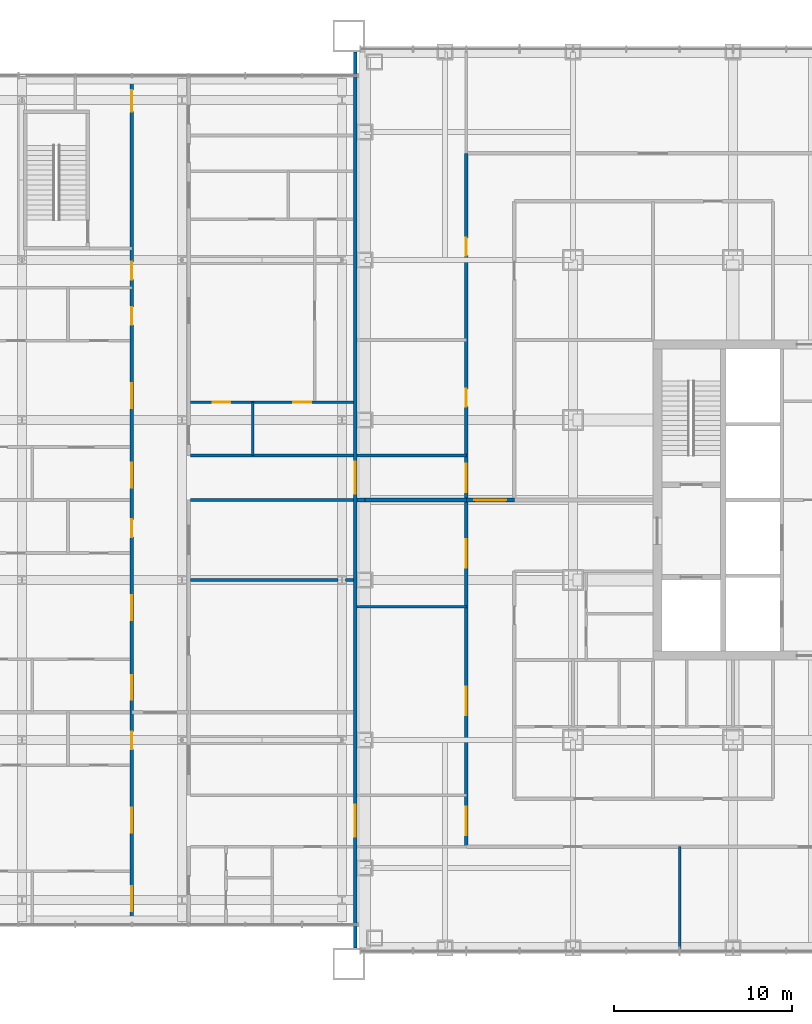
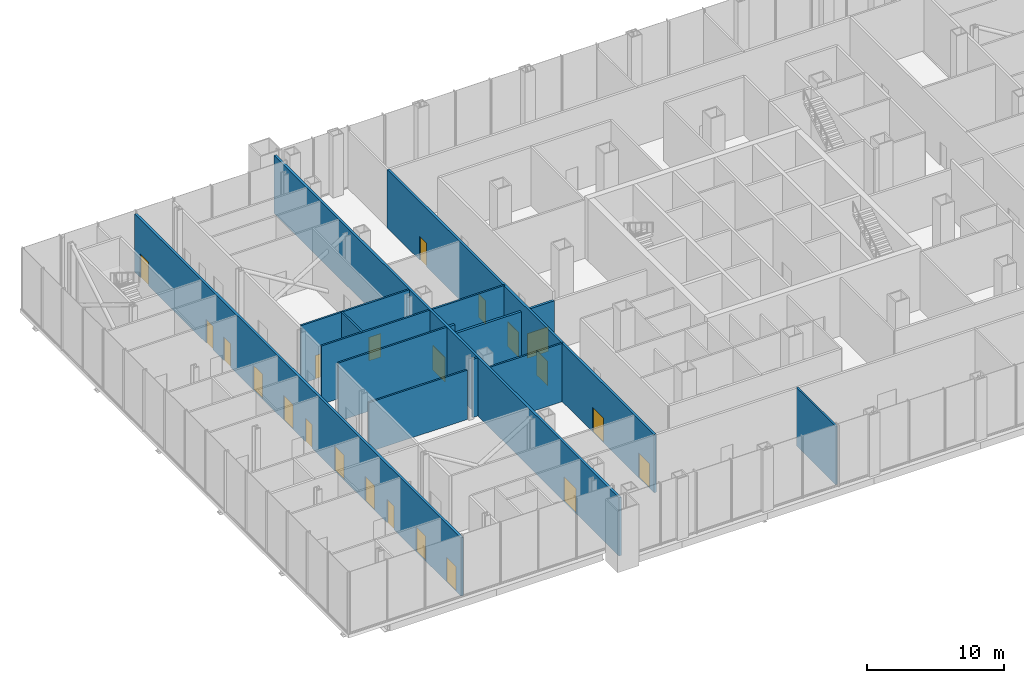
# One storey, part 13 of 25: 22 doors, 15 walls, 22 openings.
"""IFC4 building model written with IfcOpenShell, lengths in metres."""

from ifc_helpers import new_model, si_unit, direction, frame, frame_2d, origin, place, context, subcontext, project, spatial, rectangle, extrude, material, layer, layer_set, type_object, element, fill, save


model = new_model("IFC4")

# Units and contexts
model_context = context("Model", 3, precision=1e-05, world=origin(), true_north=direction((0.0, 1.0)))
body_context = subcontext(model_context, "Body", "Model", "MODEL_VIEW")
ifc_project = project(units=[si_unit("LENGTHUNIT", "METRE"), si_unit("AREAUNIT", "SQUARE_METRE"), si_unit("VOLUMEUNIT", "CUBIC_METRE"), si_unit("PLANEANGLEUNIT", "RADIAN"), si_unit("MASSUNIT", "GRAM", prefix="KILO")], contexts=[model_context])

# Site, building, storey
site_placement = place(None, origin())
site = spatial("IfcSite", under=ifc_project, at=site_placement, CompositionType="ELEMENT")
building_placement = place(site_placement, origin())
building = spatial("IfcBuilding", under=site, at=building_placement, Name="Malebo Sky Hospital", CompositionType="ELEMENT")
storey_placement = place(building_placement, frame((0.0, 0.0, 11.0)))
storey = spatial("IfcBuildingStorey", under=building, at=storey_placement, Name="L02", CompositionType="ELEMENT", Elevation=11.0)

# Wall, openings, doors
ifc_material_1 = material(Name="Gypsum board on steel studs", Category="steel")
ifc_layer_1 = layer(ifc_material_1, 0.199951171875)
ifc_layer_set_1 = layer_set([ifc_layer_1], Name="CORRIDOR WALL 200")
wall_type_1 = type_object("IfcWallType", Name="CORRIDOR WALL 200", PredefinedType="PARTITIONING", material=ifc_layer_set_1)
wall_1_placement = place(storey_placement, frame((40.5, 42.5, 0.0), z_axis=(0.0, 0.0, 1.0), x_axis=(0.0, 1.0, 0.0)))
wall_1 = element("IfcWall", 1, at=wall_1_placement, inside=storey, type_object=wall_type_1, Name="Corridor Wall 200 WCO", PredefinedType="PARTITIONING", context=body_context, shape_type="SweptSolid", body=[
    extrude(rectangle(XDim=39.0, YDim=0.199951171875, at=frame_2d((19.5, 0.0))), origin(), (0.0, 0.0, 1.0), 5.199951171875),
])
opening_1_placement = place(wall_1_placement, frame((0.64990234375, 0.0, 0.0)))
opening_1 = element("IfcOpeningElement", 2, at=opening_1_placement, cuts=wall_1, Name="Opening D14", PredefinedType="OPENING", context=body_context, shape_type="SweptSolid", body=[
    extrude(rectangle(XDim=1.60009765625, YDim=2.199951171875, at=frame_2d((0.800048828125, 1.10009765625))), frame((0.0, 0.10986328125, 0.0), z_axis=(0.0, -1.0, 0.0), x_axis=(1.0, 0.0, 0.0)), (0.0, 0.0, 1.0), 0.219970703125),
])
opening_2_placement = place(wall_1_placement, frame((7.39990234375, 0.0, 0.0)))
opening_2 = element("IfcOpeningElement", 3, at=opening_2_placement, cuts=wall_1, Name="Opening D14", PredefinedType="OPENING", context=body_context, shape_type="SweptSolid", body=[
    extrude(rectangle(XDim=1.60009765625, YDim=2.199951171875, at=frame_2d((0.800048828125, 1.10009765625))), frame((0.0, 0.10986328125, 0.0), z_axis=(0.0, -1.0, 0.0), x_axis=(1.0, 0.0, 0.0)), (0.0, 0.0, 1.0), 0.219970703125),
])
opening_3_placement = place(wall_1_placement, frame((15.699951171875, 0.0, 0.0)))
opening_3 = element("IfcOpeningElement", 4, at=opening_3_placement, cuts=wall_1, Name="Opening D14", PredefinedType="OPENING", context=body_context, shape_type="SweptSolid", body=[
    extrude(rectangle(XDim=1.60009765625, YDim=2.199951171875, at=frame_2d((0.800048828125, 1.10009765625))), frame((0.0, 0.10986328125, 0.0), z_axis=(0.0, -1.0, 0.0), x_axis=(1.0, 0.0, 0.0)), (0.0, 0.0, 1.0), 0.219970703125),
])
opening_4_placement = place(wall_1_placement, frame((19.949951171875, 0.0, 0.0)))
opening_4 = element("IfcOpeningElement", 5, at=opening_4_placement, cuts=wall_1, Name="Opening D14", PredefinedType="OPENING", context=body_context, shape_type="SweptSolid", body=[
    extrude(rectangle(XDim=1.60009765625, YDim=2.199951171875, at=frame_2d((0.800048828125, 1.10009765625))), frame((0.0, 0.10986328125, 0.0), z_axis=(0.0, -1.0, 0.0), x_axis=(1.0, 0.0, 0.0)), (0.0, 0.0, 1.0), 0.219970703125),
])
opening_5_placement = place(wall_1_placement, frame((24.75, 0.0, 0.0)))
opening_5 = element("IfcOpeningElement", 6, at=opening_5_placement, cuts=wall_1, Name="Opening D03", PredefinedType="OPENING", context=body_context, shape_type="SweptSolid", body=[
    extrude(rectangle(XDim=1.0, YDim=2.10009765625, at=frame_2d((0.5, 1.050048828125))), frame((0.0, 0.10986328125, 0.0), z_axis=(0.0, -1.0, 0.0), x_axis=(1.0, 0.0, 0.0)), (0.0, 0.0, 1.0), 0.219970703125),
])
opening_6_placement = place(wall_1_placement, frame((33.25, 0.0, 0.0)))
opening_6 = element("IfcOpeningElement", 7, at=opening_6_placement, cuts=wall_1, Name="Opening D03", PredefinedType="OPENING", context=body_context, shape_type="SweptSolid", body=[
    extrude(rectangle(XDim=1.0, YDim=2.10009765625, at=frame_2d((0.5, 1.050048828125))), frame((0.0, 0.10986328125, 0.0), z_axis=(0.0, -1.0, 0.0), x_axis=(1.0, 0.0, 0.0)), (0.0, 0.0, 1.0), 0.219970703125),
])
ifc_material_2 = material(Name="Hardwood-faced door leaf in steel frame", Category="steel")
door_type_1 = type_object("IfcDoorType", Name="DEPARTMENT DOOR PAIR 1600", OperationType="DOUBLE_DOOR_DOUBLE_SWING", PredefinedType="DOOR", material=ifc_material_2)
door_1_placement = place(opening_1_placement, origin())
door_1 = element("IfcDoor", 8, at=door_1_placement, inside=storey, type_object=door_type_1, Name="Link corridor door pair", OperationType="DOUBLE_DOOR_DOUBLE_SWING", OverallHeight=2.199951171875, OverallWidth=1.60009765625, PredefinedType="DOOR", context=body_context, shape_type="SweptSolid", body=[
    extrude(rectangle(XDim=1.60009765625, YDim=2.199951171875, at=frame_2d((0.800048828125, 1.10009765625))), frame((0.0, 0.02490234375, 0.0), z_axis=(0.0, -1.0, 0.0), x_axis=(1.0, 0.0, 0.0)), (0.0, 0.0, 1.0), 0.050048828125),
])
fill(opening_1, door_1)
door_2_placement = place(opening_2_placement, origin())
door_2 = element("IfcDoor", 9, at=door_2_placement, inside=storey, type_object=door_type_1, Name="Theatre admission lounge door", OperationType="DOUBLE_DOOR_DOUBLE_SWING", OverallHeight=2.199951171875, OverallWidth=1.60009765625, PredefinedType="DOOR", context=body_context, shape_type="SweptSolid", body=[
    extrude(rectangle(XDim=1.60009765625, YDim=2.199951171875, at=frame_2d((0.800048828125, 1.10009765625))), frame((0.0, 0.02490234375, 0.0), z_axis=(0.0, -1.0, 0.0), x_axis=(1.0, 0.0, 0.0)), (0.0, 0.0, 1.0), 0.050048828125),
])
fill(opening_2, door_2)
door_3_placement = place(opening_3_placement, origin())
door_3 = element("IfcDoor", 10, at=door_3_placement, inside=storey, type_object=door_type_1, Name="Theatre reception door", OperationType="DOUBLE_DOOR_DOUBLE_SWING", OverallHeight=2.199951171875, OverallWidth=1.60009765625, PredefinedType="DOOR", context=body_context, shape_type="SweptSolid", body=[
    extrude(rectangle(XDim=1.60009765625, YDim=2.199951171875, at=frame_2d((0.800048828125, 1.10009765625))), frame((0.0, 0.02490234375, 0.0), z_axis=(0.0, -1.0, 0.0), x_axis=(1.0, 0.0, 0.0)), (0.0, 0.0, 1.0), 0.050048828125),
])
fill(opening_3, door_3)
door_4_placement = place(opening_4_placement, origin())
door_4 = element("IfcDoor", 11, at=door_4_placement, inside=storey, type_object=door_type_1, Name="Link corridor door pair", OperationType="DOUBLE_DOOR_DOUBLE_SWING", OverallHeight=2.199951171875, OverallWidth=1.60009765625, PredefinedType="DOOR", context=body_context, shape_type="SweptSolid", body=[
    extrude(rectangle(XDim=1.60009765625, YDim=2.199951171875, at=frame_2d((0.800048828125, 1.10009765625))), frame((0.0, 0.02490234375, 0.0), z_axis=(0.0, -1.0, 0.0), x_axis=(1.0, 0.0, 0.0)), (0.0, 0.0, 1.0), 0.050048828125),
])
fill(opening_4, door_4)
door_type_2 = type_object("IfcDoorType", Name="ROOM DOOR 1000", OperationType="SINGLE_SWING_LEFT", PredefinedType="DOOR", material=ifc_material_2)
door_5_placement = place(opening_5_placement, origin())
door_5 = element("IfcDoor", 12, at=door_5_placement, inside=storey, type_object=door_type_2, Name="Female staff changing room door", OperationType="SINGLE_SWING_LEFT", OverallHeight=2.10009765625, OverallWidth=1.0, PredefinedType="DOOR", context=body_context, shape_type="SweptSolid", body=[
    extrude(rectangle(XDim=1.0, YDim=2.10009765625, at=frame_2d((0.5, 1.050048828125))), frame((0.0, 0.02490234375, 0.0), z_axis=(0.0, -1.0, 0.0), x_axis=(1.0, 0.0, 0.0)), (0.0, 0.0, 1.0), 0.050048828125),
])
fill(opening_5, door_5)
door_6_placement = place(opening_6_placement, origin())
door_6 = element("IfcDoor", 13, at=door_6_placement, inside=storey, type_object=door_type_2, Name="Male staff changing room door", OperationType="SINGLE_SWING_RIGHT", OverallHeight=2.10009765625, OverallWidth=1.0, PredefinedType="DOOR", context=body_context, shape_type="SweptSolid", body=[
    extrude(rectangle(XDim=1.0, YDim=2.10009765625, at=frame_2d((0.5, 1.050048828125))), frame((0.0, 0.02490234375, 0.0), z_axis=(0.0, -1.0, 0.0), x_axis=(1.0, 0.0, 0.0)), (0.0, 0.0, 1.0), 0.050048828125),
])
fill(opening_6, door_6)

wall_2_placement = place(storey_placement, frame((21.693115234375, 38.14990234375, 0.0), z_axis=(0.0, 0.0, 1.0), x_axis=(0.0, 1.0, 0.0)))
wall_2 = element("IfcWall", 14, at=wall_2_placement, inside=storey, type_object=wall_type_1, Name="Corridor Wall 200 WWC1", PredefinedType="PARTITIONING", context=body_context, shape_type="SweptSolid", body=[
    extrude(rectangle(XDim=47.7001953125, YDim=0.199951171875, at=frame_2d((23.85009765625, 0.0))), origin(), (0.0, 0.0, 1.0), 5.199951171875),
])
opening_7_placement = place(wall_2_placement, frame((45.699951171875, 0.0, 0.0)))
opening_7 = element("IfcOpeningElement", 15, at=opening_7_placement, cuts=wall_2, Name="Opening D08", PredefinedType="OPENING", context=body_context, shape_type="SweptSolid", body=[
    extrude(rectangle(XDim=1.199951171875, YDim=2.10009765625, at=frame_2d((0.60009765625, 1.050048828125))), frame((0.0, 0.10986328125, 0.0), z_axis=(0.0, -1.0, 0.0), x_axis=(1.0, 0.0, 0.0)), (0.0, 0.0, 1.0), 0.219970703125),
])
opening_8_placement = place(wall_2_placement, frame((36.24365234375, 0.0, 0.0)))
opening_8 = element("IfcOpeningElement", 16, at=opening_8_placement, cuts=wall_2, Name="Opening D03", PredefinedType="OPENING", context=body_context, shape_type="SweptSolid", body=[
    extrude(rectangle(XDim=1.0, YDim=2.10009765625, at=frame_2d((0.5, 1.050048828125))), frame((0.0, 0.10986328125, 0.0), z_axis=(0.0, -1.0, 0.0), x_axis=(1.0, 0.0, 0.0)), (0.0, 0.0, 1.0), 0.219970703125),
])
opening_9_placement = place(wall_2_placement, frame((0.729736328125, 0.0, 0.0)))
opening_9 = element("IfcOpeningElement", 17, at=opening_9_placement, cuts=wall_2, Name="Opening D25", PredefinedType="OPENING", context=body_context, shape_type="SweptSolid", body=[
    extrude(rectangle(XDim=1.39990234375, YDim=2.199951171875, at=frame_2d((0.699951171875, 1.10009765625))), frame((0.0, 0.10986328125, 0.0), z_axis=(0.0, -1.0, 0.0), x_axis=(1.0, 0.0, 0.0)), (0.0, 0.0, 1.0), 0.219970703125),
])
opening_10_placement = place(wall_2_placement, frame((5.143798828125, 0.0, 0.0)))
opening_10 = element("IfcOpeningElement", 18, at=opening_10_placement, cuts=wall_2, Name="Opening D25", PredefinedType="OPENING", context=body_context, shape_type="SweptSolid", body=[
    extrude(rectangle(XDim=1.39990234375, YDim=2.199951171875, at=frame_2d((0.699951171875, 1.10009765625))), frame((0.0, 0.10986328125, 0.0), z_axis=(0.0, -1.0, 0.0), x_axis=(1.0, 0.0, 0.0)), (0.0, 0.0, 1.0), 0.219970703125),
])
opening_11_placement = place(wall_2_placement, frame((9.8203125, 0.0, 0.0)))
opening_11 = element("IfcOpeningElement", 19, at=opening_11_placement, cuts=wall_2, Name="Opening D03", PredefinedType="OPENING", context=body_context, shape_type="SweptSolid", body=[
    extrude(rectangle(XDim=1.0, YDim=2.10009765625, at=frame_2d((0.5, 1.050048828125))), frame((0.0, 0.10986328125, 0.0), z_axis=(0.0, -1.0, 0.0), x_axis=(1.0, 0.0, 0.0)), (0.0, 0.0, 1.0), 0.219970703125),
])
opening_12_placement = place(wall_2_placement, frame((12.604736328125, 0.0, 0.0)))
opening_12 = element("IfcOpeningElement", 20, at=opening_12_placement, cuts=wall_2, Name="Opening D25", PredefinedType="OPENING", context=body_context, shape_type="SweptSolid", body=[
    extrude(rectangle(XDim=1.39990234375, YDim=2.199951171875, at=frame_2d((0.699951171875, 1.10009765625))), frame((0.0, 0.10986328125, 0.0), z_axis=(0.0, -1.0, 0.0), x_axis=(1.0, 0.0, 0.0)), (0.0, 0.0, 1.0), 0.219970703125),
])
opening_13_placement = place(wall_2_placement, frame((17.081298828125, 0.0, 0.0)))
opening_13 = element("IfcOpeningElement", 21, at=opening_13_placement, cuts=wall_2, Name="Opening D25", PredefinedType="OPENING", context=body_context, shape_type="SweptSolid", body=[
    extrude(rectangle(XDim=1.39990234375, YDim=2.199951171875, at=frame_2d((0.699951171875, 1.10009765625))), frame((0.0, 0.10986328125, 0.0), z_axis=(0.0, -1.0, 0.0), x_axis=(1.0, 0.0, 0.0)), (0.0, 0.0, 1.0), 0.219970703125),
])
opening_14_placement = place(wall_2_placement, frame((21.7578125, 0.0, 0.0)))
opening_14 = element("IfcOpeningElement", 22, at=opening_14_placement, cuts=wall_2, Name="Opening D03", PredefinedType="OPENING", context=body_context, shape_type="SweptSolid", body=[
    extrude(rectangle(XDim=1.0, YDim=2.10009765625, at=frame_2d((0.5, 1.050048828125))), frame((0.0, 0.10986328125, 0.0), z_axis=(0.0, -1.0, 0.0), x_axis=(1.0, 0.0, 0.0)), (0.0, 0.0, 1.0), 0.219970703125),
])
opening_15_placement = place(wall_2_placement, frame((24.542236328125, 0.0, 0.0)))
opening_15 = element("IfcOpeningElement", 23, at=opening_15_placement, cuts=wall_2, Name="Opening D25", PredefinedType="OPENING", context=body_context, shape_type="SweptSolid", body=[
    extrude(rectangle(XDim=1.39990234375, YDim=2.199951171875, at=frame_2d((0.699951171875, 1.10009765625))), frame((0.0, 0.10986328125, 0.0), z_axis=(0.0, -1.0, 0.0), x_axis=(1.0, 0.0, 0.0)), (0.0, 0.0, 1.0), 0.219970703125),
])
opening_16_placement = place(wall_2_placement, frame((29.018798828125, 0.0, 0.0)))
opening_16 = element("IfcOpeningElement", 24, at=opening_16_placement, cuts=wall_2, Name="Opening D25", PredefinedType="OPENING", context=body_context, shape_type="SweptSolid", body=[
    extrude(rectangle(XDim=1.39990234375, YDim=2.199951171875, at=frame_2d((0.699951171875, 1.10009765625))), frame((0.0, 0.10986328125, 0.0), z_axis=(0.0, -1.0, 0.0), x_axis=(1.0, 0.0, 0.0)), (0.0, 0.0, 1.0), 0.219970703125),
])
opening_17_placement = place(wall_2_placement, frame((33.6953125, 0.0, 0.0)))
opening_17 = element("IfcOpeningElement", 25, at=opening_17_placement, cuts=wall_2, Name="Opening D03", PredefinedType="OPENING", context=body_context, shape_type="SweptSolid", body=[
    extrude(rectangle(XDim=1.0, YDim=2.10009765625, at=frame_2d((0.5, 1.050048828125))), frame((0.0, 0.10986328125, 0.0), z_axis=(0.0, -1.0, 0.0), x_axis=(1.0, 0.0, 0.0)), (0.0, 0.0, 1.0), 0.219970703125),
])
door_type_3 = type_object("IfcDoorType", Name="BED DOOR PAIR 1400", OperationType="DOUBLE_DOOR_SINGLE_SWING", PredefinedType="DOOR", material=ifc_material_2)
door_7_placement = place(opening_9_placement, origin())
door_7 = element("IfcDoor", 26, at=door_7_placement, inside=storey, type_object=door_type_3, Name="Anaesthetic room door", OperationType="DOUBLE_DOOR_SINGLE_SWING", OverallHeight=2.199951171875, OverallWidth=1.39990234375, PredefinedType="DOOR", context=body_context, shape_type="SweptSolid", body=[
    extrude(rectangle(XDim=1.39990234375, YDim=2.199951171875, at=frame_2d((0.699951171875, 1.10009765625))), frame((0.0, 0.02490234375, 0.0), z_axis=(0.0, -1.0, 0.0), x_axis=(1.0, 0.0, 0.0)), (0.0, 0.0, 1.0), 0.050048828125),
])
fill(opening_9, door_7)
door_8_placement = place(opening_10_placement, origin())
door_8 = element("IfcDoor", 27, at=door_8_placement, inside=storey, type_object=door_type_3, Name="Operating theatre door", OperationType="DOUBLE_DOOR_SINGLE_SWING", OverallHeight=2.199951171875, OverallWidth=1.39990234375, PredefinedType="DOOR", context=body_context, shape_type="SweptSolid", body=[
    extrude(rectangle(XDim=1.39990234375, YDim=2.199951171875, at=frame_2d((0.699951171875, 1.10009765625))), frame((0.0, 0.02490234375, 0.0), z_axis=(0.0, -1.0, 0.0), x_axis=(1.0, 0.0, 0.0)), (0.0, 0.0, 1.0), 0.050048828125),
])
fill(opening_10, door_8)
door_9_placement = place(opening_12_placement, origin())
door_9 = element("IfcDoor", 28, at=door_9_placement, inside=storey, type_object=door_type_3, Name="Anaesthetic room door", OperationType="DOUBLE_DOOR_SINGLE_SWING", OverallHeight=2.199951171875, OverallWidth=1.39990234375, PredefinedType="DOOR", context=body_context, shape_type="SweptSolid", body=[
    extrude(rectangle(XDim=1.39990234375, YDim=2.199951171875, at=frame_2d((0.699951171875, 1.10009765625))), frame((0.0, 0.02490234375, 0.0), z_axis=(0.0, -1.0, 0.0), x_axis=(1.0, 0.0, 0.0)), (0.0, 0.0, 1.0), 0.050048828125),
])
fill(opening_12, door_9)
door_10_placement = place(opening_13_placement, origin())
door_10 = element("IfcDoor", 29, at=door_10_placement, inside=storey, type_object=door_type_3, Name="Operating theatre door", OperationType="DOUBLE_DOOR_SINGLE_SWING", OverallHeight=2.199951171875, OverallWidth=1.39990234375, PredefinedType="DOOR", context=body_context, shape_type="SweptSolid", body=[
    extrude(rectangle(XDim=1.39990234375, YDim=2.199951171875, at=frame_2d((0.699951171875, 1.10009765625))), frame((0.0, 0.02490234375, 0.0), z_axis=(0.0, -1.0, 0.0), x_axis=(1.0, 0.0, 0.0)), (0.0, 0.0, 1.0), 0.050048828125),
])
fill(opening_13, door_10)
door_11_placement = place(opening_15_placement, origin())
door_11 = element("IfcDoor", 30, at=door_11_placement, inside=storey, type_object=door_type_3, Name="Anaesthetic room door", OperationType="DOUBLE_DOOR_SINGLE_SWING", OverallHeight=2.199951171875, OverallWidth=1.39990234375, PredefinedType="DOOR", context=body_context, shape_type="SweptSolid", body=[
    extrude(rectangle(XDim=1.39990234375, YDim=2.199951171875, at=frame_2d((0.699951171875, 1.10009765625))), frame((0.0, 0.02490234375, 0.0), z_axis=(0.0, -1.0, 0.0), x_axis=(1.0, 0.0, 0.0)), (0.0, 0.0, 1.0), 0.050048828125),
])
fill(opening_15, door_11)
door_12_placement = place(opening_16_placement, origin())
door_12 = element("IfcDoor", 31, at=door_12_placement, inside=storey, type_object=door_type_3, Name="Operating theatre door", OperationType="DOUBLE_DOOR_SINGLE_SWING", OverallHeight=2.199951171875, OverallWidth=1.39990234375, PredefinedType="DOOR", context=body_context, shape_type="SweptSolid", body=[
    extrude(rectangle(XDim=1.39990234375, YDim=2.199951171875, at=frame_2d((0.699951171875, 1.10009765625))), frame((0.0, 0.02490234375, 0.0), z_axis=(0.0, -1.0, 0.0), x_axis=(1.0, 0.0, 0.0)), (0.0, 0.0, 1.0), 0.050048828125),
])
fill(opening_16, door_12)
door_13_placement = place(opening_8_placement, origin())
door_13 = element("IfcDoor", 32, at=door_13_placement, inside=storey, type_object=door_type_2, Name="Theatre sterile store door", OperationType="SINGLE_SWING_LEFT", OverallHeight=2.10009765625, OverallWidth=1.0, PredefinedType="DOOR", context=body_context, shape_type="SweptSolid", body=[
    extrude(rectangle(XDim=1.0, YDim=2.10009765625, at=frame_2d((0.5, 1.050048828125))), frame((0.0, 0.02490234375, 0.0), z_axis=(0.0, -1.0, 0.0), x_axis=(1.0, 0.0, 0.0)), (0.0, 0.0, 1.0), 0.050048828125),
])
fill(opening_8, door_13)
door_14_placement = place(opening_11_placement, origin())
door_14 = element("IfcDoor", 33, at=door_14_placement, inside=storey, type_object=door_type_2, Name="Scrub room door", OperationType="SINGLE_SWING_LEFT", OverallHeight=2.10009765625, OverallWidth=1.0, PredefinedType="DOOR", context=body_context, shape_type="SweptSolid", body=[
    extrude(rectangle(XDim=1.0, YDim=2.10009765625, at=frame_2d((0.5, 1.050048828125))), frame((0.0, 0.02490234375, 0.0), z_axis=(0.0, -1.0, 0.0), x_axis=(1.0, 0.0, 0.0)), (0.0, 0.0, 1.0), 0.050048828125),
])
fill(opening_11, door_14)
door_15_placement = place(opening_14_placement, origin())
door_15 = element("IfcDoor", 34, at=door_15_placement, inside=storey, type_object=door_type_2, Name="Scrub room door", OperationType="SINGLE_SWING_LEFT", OverallHeight=2.10009765625, OverallWidth=1.0, PredefinedType="DOOR", context=body_context, shape_type="SweptSolid", body=[
    extrude(rectangle(XDim=1.0, YDim=2.10009765625, at=frame_2d((0.5, 1.050048828125))), frame((0.0, 0.02490234375, 0.0), z_axis=(0.0, -1.0, 0.0), x_axis=(1.0, 0.0, 0.0)), (0.0, 0.0, 1.0), 0.050048828125),
])
fill(opening_14, door_15)
door_16_placement = place(opening_17_placement, origin())
door_16 = element("IfcDoor", 35, at=door_16_placement, inside=storey, type_object=door_type_2, Name="Scrub room door", OperationType="SINGLE_SWING_LEFT", OverallHeight=2.10009765625, OverallWidth=1.0, PredefinedType="DOOR", context=body_context, shape_type="SweptSolid", body=[
    extrude(rectangle(XDim=1.0, YDim=2.10009765625, at=frame_2d((0.5, 1.050048828125))), frame((0.0, 0.02490234375, 0.0), z_axis=(0.0, -1.0, 0.0), x_axis=(1.0, 0.0, 0.0)), (0.0, 0.0, 1.0), 0.050048828125),
])
fill(opening_17, door_16)
door_type_4 = type_object("IfcDoorType", Name="STAIR DOOR 1200", OperationType="SINGLE_SWING_LEFT", PredefinedType="DOOR", material=ifc_material_2)
door_17_placement = place(opening_7_placement, origin())
door_17 = element("IfcDoor", 36, at=door_17_placement, inside=storey, type_object=door_type_4, Name="Stair lobby door", OperationType="SINGLE_SWING_RIGHT", OverallHeight=2.10009765625, OverallWidth=1.199951171875, PredefinedType="DOOR", context=body_context, shape_type="SweptSolid", body=[
    extrude(rectangle(XDim=1.199951171875, YDim=2.10009765625, at=frame_2d((0.60009765625, 1.050048828125))), frame((0.0, 0.02490234375, 0.0), z_axis=(0.0, -1.0, 0.0), x_axis=(1.0, 0.0, 0.0)), (0.0, 0.0, 1.0), 0.050048828125),
])
fill(opening_7, door_17)

ifc_material_3 = material(Name="Concrete blockwork", Category="masonry")
ifc_layer_2 = layer(ifc_material_3, 0.199951171875)
ifc_layer_set_2 = layer_set([ifc_layer_2], Name="MOVEMENT JOINT WALL 200")
wall_type_2 = type_object("IfcWallType", Name="MOVEMENT JOINT WALL 200", PredefinedType="SOLIDWALL", material=ifc_layer_set_2)
wall_3_placement = place(storey_placement, frame((34.25, 36.800048828125, 0.0), z_axis=(0.0, 0.0, 1.0), x_axis=(0.0, 1.0, 0.0)))
wall_3 = element("IfcWall", 37, at=wall_3_placement, inside=storey, type_object=wall_type_2, Name="Movement Joint Wall 200 WJ", PredefinedType="SOLIDWALL", context=body_context, shape_type="SweptSolid", body=[
    extrude(rectangle(XDim=50.39990234375, YDim=0.199951171875, at=frame_2d((25.199951171875, 0.0))), origin(), (0.0, 0.0, 1.0), 5.199951171875),
])
opening_18_placement = place(wall_3_placement, frame((6.25, 0.0, 0.0)))
opening_18 = element("IfcOpeningElement", 38, at=opening_18_placement, cuts=wall_3, Name="Opening D28", PredefinedType="OPENING", context=body_context, shape_type="SweptSolid", body=[
    extrude(rectangle(XDim=1.800048828125, YDim=2.199951171875, at=frame_2d((0.89990234375, 1.10009765625))), frame((0.0, 0.10986328125, 0.0), z_axis=(0.0, -1.0, 0.0), x_axis=(1.0, 0.0, 0.0)), (0.0, 0.0, 1.0), 0.219970703125),
])
opening_19_placement = place(wall_3_placement, frame((25.550048828125, 0.0, 0.0)))
opening_19 = element("IfcOpeningElement", 39, at=opening_19_placement, cuts=wall_3, Name="Opening D28", PredefinedType="OPENING", context=body_context, shape_type="SweptSolid", body=[
    extrude(rectangle(XDim=1.800048828125, YDim=2.199951171875, at=frame_2d((0.89990234375, 1.10009765625))), frame((0.0, 0.10986328125, 0.0), z_axis=(0.0, -1.0, 0.0), x_axis=(1.0, 0.0, 0.0)), (0.0, 0.0, 1.0), 0.219970703125),
])
door_type_5 = type_object("IfcDoorType", Name="FIRE DOOR PAIR 1800", OperationType="DOUBLE_DOOR_SINGLE_SWING", PredefinedType="DOOR", material=ifc_material_2)
door_18_placement = place(opening_18_placement, origin())
door_18 = element("IfcDoor", 40, at=door_18_placement, inside=storey, type_object=door_type_5, Name="Link fire door pair", OperationType="DOUBLE_DOOR_SINGLE_SWING", OverallHeight=2.199951171875, OverallWidth=1.800048828125, PredefinedType="DOOR", context=body_context, shape_type="SweptSolid", body=[
    extrude(rectangle(XDim=1.800048828125, YDim=2.199951171875, at=frame_2d((0.89990234375, 1.10009765625))), frame((0.0, 0.02490234375, 0.0), z_axis=(0.0, -1.0, 0.0), x_axis=(1.0, 0.0, 0.0)), (0.0, 0.0, 1.0), 0.050048828125),
])
fill(opening_18, door_18)
door_19_placement = place(opening_19_placement, origin())
door_19 = element("IfcDoor", 41, at=door_19_placement, inside=storey, type_object=door_type_5, Name="Link fire door pair", OperationType="DOUBLE_DOOR_SINGLE_SWING", OverallHeight=2.199951171875, OverallWidth=1.800048828125, PredefinedType="DOOR", context=body_context, shape_type="SweptSolid", body=[
    extrude(rectangle(XDim=1.800048828125, YDim=2.199951171875, at=frame_2d((0.89990234375, 1.10009765625))), frame((0.0, 0.02490234375, 0.0), z_axis=(0.0, -1.0, 0.0), x_axis=(1.0, 0.0, 0.0)), (0.0, 0.0, 1.0), 0.050048828125),
])
fill(opening_19, door_19)

# Walls
ifc_layer_3 = layer(ifc_material_1, 0.14990234375)
ifc_layer_set_3 = layer_set([ifc_layer_3], Name="PARTITION 150")
wall_type_3 = type_object("IfcWallType", Name="PARTITION 150", PredefinedType="PARTITIONING", material=ifc_layer_set_3)
for number, where, z_axis, x_axis, name in (
    (42, (40.5, 56.0, 0.0), (0.0, 0.0, 1.0), (-1.0, 0.0, 0.0), "Partition 150 WP-6.0"),
    (43, (40.5, 64.5, 0.0), (0.0, 0.0, 1.0), (-1.0, 0.0, 0.0), "Partition 150 WP+2.5"),
):
    element("IfcWall", number, at=place(storey_placement, frame(where, z_axis=z_axis, x_axis=x_axis)), inside=storey, type_object=wall_type_3, Name=name, PredefinedType="PARTITIONING", context=body_context, shape_type="SweptSolid", body=[
        extrude(rectangle(XDim=6.14990234375, YDim=0.14990234375, at=frame_2d((3.074951171875, 0.0))), origin(), (0.0, 0.0, 1.0), 5.199951171875),
    ])
wall_4_placement = place(storey_placement, frame((52.5, 42.5, 0.0), z_axis=(0.0, 0.0, 1.0), x_axis=(0.0, -1.0, 0.0)))
element("IfcWall", 44, at=wall_4_placement, inside=storey, type_object=wall_type_3, Name="Partition 150 SP+7.5", PredefinedType="PARTITIONING", context=body_context, shape_type="SweptSolid", body=[
    extrude(rectangle(XDim=5.75, YDim=0.14990234375, at=frame_2d((2.875, 0.0))), origin(), (0.0, 0.0, 1.0), 5.199951171875),
])
wall_5_placement = place(storey_placement, frame((24.98193359375, 57.5, 0.0), z_axis=(0.0, 0.0, 1.0), x_axis=(1.0, 0.0, 0.0)))
element("IfcWall", 45, at=wall_5_placement, inside=storey, type_object=wall_type_3, Name="Partition 150 WIH04", PredefinedType="PARTITIONING", context=body_context, shape_type="SweptSolid", body=[
    extrude(rectangle(XDim=8.302001953125, YDim=0.14990234375, at=frame_2d((4.15087890625, 0.0))), origin(), (0.0, 0.0, 1.0), 4.39990234375),
])
wall_6_placement = place(storey_placement, frame((33.716064453125, 57.5, 0.0), z_axis=(0.0, 0.0, 1.0), x_axis=(1.0, 0.0, 0.0)))
element("IfcWall", 46, at=wall_6_placement, inside=storey, type_object=wall_type_3, Name="Partition 150 WIH04", PredefinedType="PARTITIONING", context=body_context, shape_type="SweptSolid", body=[
    extrude(rectangle(XDim=0.433837890625, YDim=0.14990234375, at=frame_2d((0.216796875, 0.0))), origin(), (0.0, 0.0, 1.0), 5.199951171875),
])
for number, where, z_axis, x_axis, name in (
    (47, (24.98193359375, 62.0, 0.0), (0.0, 0.0, 1.0), (1.0, 0.0, 0.0), "Partition 150 WIH05"),
    (48, (24.98193359375, 64.5, 0.0), (0.0, 0.0, 1.0), (1.0, 0.0, 0.0), "Partition 150 WIH06"),
):
    element("IfcWall", number, at=place(storey_placement, frame(where, z_axis=z_axis, x_axis=x_axis)), inside=storey, type_object=wall_type_3, Name=name, PredefinedType="PARTITIONING", context=body_context, shape_type="SweptSolid", body=[
        extrude(rectangle(XDim=9.16796875, YDim=0.14990234375, at=frame_2d((4.583984375, 0.0))), origin(), (0.0, 0.0, 1.0), 5.199951171875),
    ])

# Wall, openings, doors
wall_7_placement = place(storey_placement, frame((24.98193359375, 67.5, 0.0), z_axis=(0.0, 0.0, 1.0), x_axis=(1.0, 0.0, 0.0)))
wall_7 = element("IfcWall", 49, at=wall_7_placement, inside=storey, type_object=wall_type_3, Name="Partition 150 WIH07", PredefinedType="PARTITIONING", context=body_context, shape_type="SweptSolid", body=[
    extrude(rectangle(XDim=9.16796875, YDim=0.14990234375, at=frame_2d((4.583984375, 0.0))), origin(), (0.0, 0.0, 1.0), 5.199951171875),
])
opening_20_placement = place(wall_7_placement, frame((1.25, 0.0, 0.0)))
opening_20 = element("IfcOpeningElement", 50, at=opening_20_placement, cuts=wall_7, Name="Opening D03", PredefinedType="OPENING", context=body_context, shape_type="SweptSolid", body=[
    extrude(rectangle(XDim=1.0, YDim=2.10009765625, at=frame_2d((0.5, 1.050048828125))), frame((0.0, 0.0849609375, 0.0), z_axis=(0.0, -1.0, 0.0), x_axis=(1.0, 0.0, 0.0)), (0.0, 0.0, 1.0), 0.169921875),
])
opening_21_placement = place(wall_7_placement, frame((5.783935546875, 0.0, 0.0)))
opening_21 = element("IfcOpeningElement", 51, at=opening_21_placement, cuts=wall_7, Name="Opening D03", PredefinedType="OPENING", context=body_context, shape_type="SweptSolid", body=[
    extrude(rectangle(XDim=1.0, YDim=2.10009765625, at=frame_2d((0.5, 1.050048828125))), frame((0.0, 0.0849609375, 0.0), z_axis=(0.0, -1.0, 0.0), x_axis=(1.0, 0.0, 0.0)), (0.0, 0.0, 1.0), 0.169921875),
])
door_20_placement = place(opening_20_placement, origin())
door_20 = element("IfcDoor", 52, at=door_20_placement, inside=storey, type_object=door_type_2, Name="Scrub room inner door", OperationType="SINGLE_SWING_RIGHT", OverallHeight=2.10009765625, OverallWidth=1.0, PredefinedType="DOOR", context=body_context, shape_type="SweptSolid", body=[
    extrude(rectangle(XDim=1.0, YDim=2.10009765625, at=frame_2d((0.5, 1.050048828125))), frame((0.0, 0.02490234375, 0.0), z_axis=(0.0, -1.0, 0.0), x_axis=(1.0, 0.0, 0.0)), (0.0, 0.0, 1.0), 0.050048828125),
])
fill(opening_20, door_20)
door_21_placement = place(opening_21_placement, origin())
door_21 = element("IfcDoor", 53, at=door_21_placement, inside=storey, type_object=door_type_2, Name="Preparation room inner door", OperationType="SINGLE_SWING_RIGHT", OverallHeight=2.10009765625, OverallWidth=1.0, PredefinedType="DOOR", context=body_context, shape_type="SweptSolid", body=[
    extrude(rectangle(XDim=1.0, YDim=2.10009765625, at=frame_2d((0.5, 1.050048828125))), frame((0.0, 0.02490234375, 0.0), z_axis=(0.0, -1.0, 0.0), x_axis=(1.0, 0.0, 0.0)), (0.0, 0.0, 1.0), 0.050048828125),
])
fill(opening_21, door_21)

# Walls
wall_8_placement = place(storey_placement, frame((28.48193359375, 64.5, 0.0), z_axis=(0.0, 0.0, 1.0), x_axis=(0.0, 1.0, 0.0)))
element("IfcWall", 54, at=wall_8_placement, inside=storey, type_object=wall_type_3, Name="Partition 150 WIV12", PredefinedType="PARTITIONING", context=body_context, shape_type="SweptSolid", body=[
    extrude(rectangle(XDim=3.0, YDim=0.14990234375, at=frame_2d((1.5, 0.0))), origin(), (0.0, 0.0, 1.0), 5.199951171875),
])
ifc_layer_4 = layer(ifc_material_3, 0.199951171875)
ifc_layer_set_4 = layer_set([ifc_layer_4], Name="SMOKE BARRIER WALL 200")
wall_type_4 = type_object("IfcWallType", Name="SMOKE BARRIER WALL 200", PredefinedType="SOLIDWALL", material=ifc_layer_set_4)
wall_9_placement = place(storey_placement, frame((40.5, 62.0, 0.0), z_axis=(0.0, 0.0, 1.0), x_axis=(-1.0, 0.0, 0.0)))
element("IfcWall", 55, at=wall_9_placement, inside=storey, type_object=wall_type_4, Name="Smoke Barrier Wall 200 WP+0.0", PredefinedType="SOLIDWALL", context=body_context, shape_type="SweptSolid", body=[
    extrude(rectangle(XDim=5.699951171875, YDim=0.199951171875, at=frame_2d((2.85009765625, 0.0))), origin(), (0.0, 0.0, 1.0), 4.39990234375),
])
wall_10_placement = place(storey_placement, frame((34.800048828125, 62.0, 0.0), z_axis=(0.0, 0.0, 1.0), x_axis=(-1.0, 0.0, 0.0)))
element("IfcWall", 56, at=wall_10_placement, inside=storey, type_object=wall_type_4, Name="Smoke Barrier Wall 200 WP+0.0", PredefinedType="SOLIDWALL", context=body_context, shape_type="SweptSolid", body=[
    extrude(rectangle(XDim=0.449951171875, YDim=0.199951171875, at=frame_2d((0.22509765625, 0.0))), origin(), (0.0, 0.0, 1.0), 5.199951171875),
])

# Wall, opening, door
wall_11_placement = place(storey_placement, frame((43.199951171875, 62.0, 0.0), z_axis=(0.0, 0.0, 1.0), x_axis=(-1.0, 0.0, 0.0)))
wall_11 = element("IfcWall", 57, at=wall_11_placement, inside=storey, type_object=wall_type_4, Name="Smoke Barrier Wall 200 WSB", PredefinedType="SOLIDWALL", context=body_context, shape_type="SweptSolid", body=[
    extrude(rectangle(XDim=2.699951171875, YDim=0.199951171875, at=frame_2d((1.35009765625, 0.0))), origin(), (0.0, 0.0, 1.0), 4.39990234375),
])
opening_22_placement = place(wall_11_placement, frame((0.449951171875, 0.0, 0.0)))
opening_22 = element("IfcOpeningElement", 58, at=opening_22_placement, cuts=wall_11, Name="Opening D05", PredefinedType="OPENING", context=body_context, shape_type="SweptSolid", body=[
    extrude(rectangle(XDim=1.800048828125, YDim=2.199951171875, at=frame_2d((0.89990234375, 1.10009765625))), frame((0.0, 0.10986328125, 0.0), z_axis=(0.0, -1.0, 0.0), x_axis=(1.0, 0.0, 0.0)), (0.0, 0.0, 1.0), 0.219970703125),
])
door_type_6 = type_object("IfcDoorType", Name="SMOKE DOOR PAIR 1800", OperationType="DOUBLE_DOOR_DOUBLE_SWING", PredefinedType="DOOR", material=ifc_material_2)
door_22_placement = place(opening_22_placement, origin())
door_22 = element("IfcDoor", 59, at=door_22_placement, inside=storey, type_object=door_type_6, Name="Smoke compartment door pair", OperationType="DOUBLE_DOOR_DOUBLE_SWING", OverallHeight=2.199951171875, OverallWidth=1.800048828125, PredefinedType="DOOR", context=body_context, shape_type="SweptSolid", body=[
    extrude(rectangle(XDim=1.800048828125, YDim=2.199951171875, at=frame_2d((0.89990234375, 1.10009765625))), frame((0.0, 0.02490234375, 0.0), z_axis=(0.0, -1.0, 0.0), x_axis=(1.0, 0.0, 0.0)), (0.0, 0.0, 1.0), 0.050048828125),
])
fill(opening_22, door_22)

save(model, "model.ifc")
